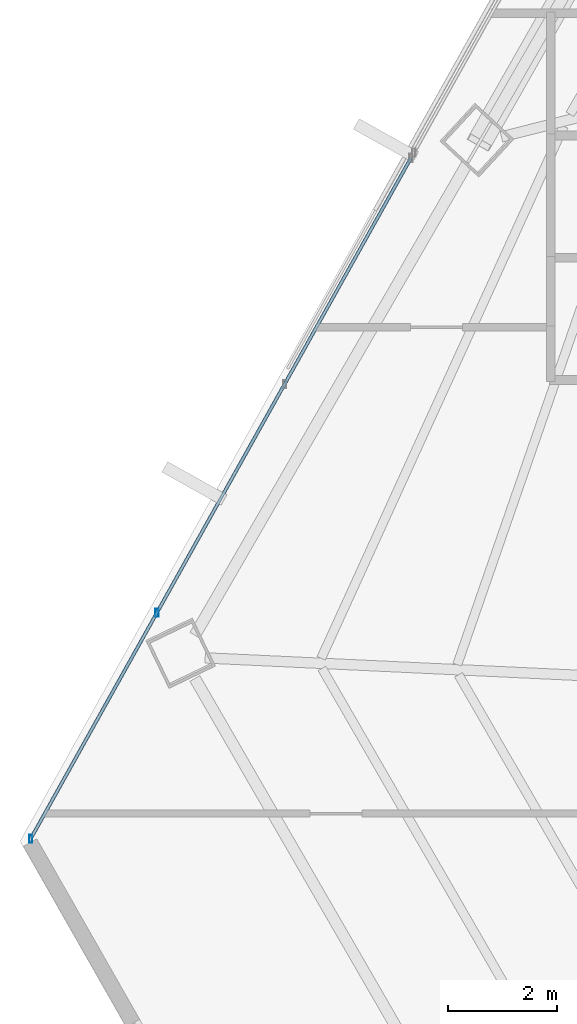
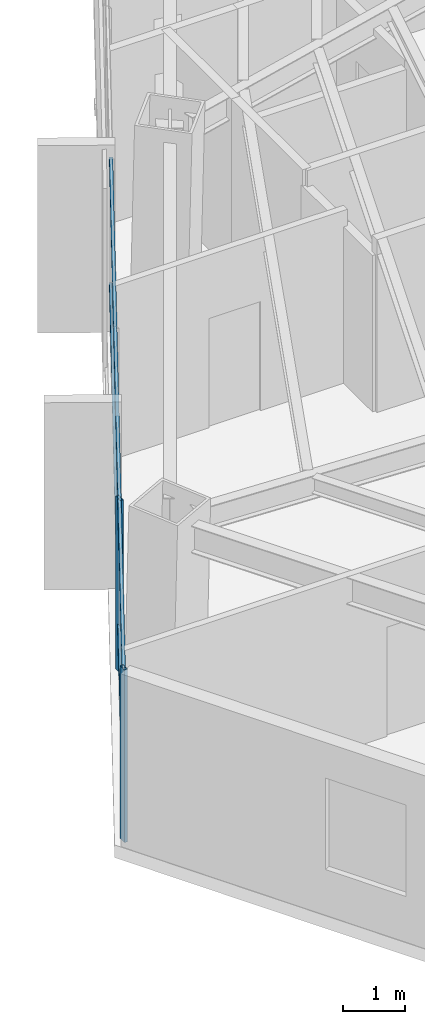
# One storey, part 6 of 38: 4 members, 1 element without a shape of its own.
"""IFC4 building model written with IfcOpenShell, lengths in metres."""

from ifc_helpers import new_model, si_unit, direction, frame, origin, origin_2d, place, context, subcontext, project, spatial, hollow_rectangle, extrude, source, transform, mapped, material, material_profile, profile_set, type_object, type_shapes, element, aggregate, save


model = new_model("IFC4")

# Units and contexts
model_context = context("Model", 3, precision=1e-05, world=origin(), true_north=direction((0.0, 1.0)))
body_context = subcontext(model_context, "Body", "Model", "MODEL_VIEW")
ifc_project = project(units=[si_unit("LENGTHUNIT", "METRE"), si_unit("AREAUNIT", "SQUARE_METRE"), si_unit("VOLUMEUNIT", "CUBIC_METRE"), si_unit("PLANEANGLEUNIT", "RADIAN"), si_unit("MASSUNIT", "GRAM", prefix="KILO")], contexts=[model_context])

# Site, building, storey
site_placement = place(None, origin())
site = spatial("IfcSite", under=ifc_project, at=site_placement, CompositionType="ELEMENT")
building_placement = place(site_placement, origin())
building = spatial("IfcBuilding", under=site, at=building_placement, Name="Caelisora Broadcast Tower", CompositionType="ELEMENT")
storey_placement = place(building_placement, frame((0.0, 0.0, 154.85009765625)))
storey = spatial("IfcBuildingStorey", under=building, at=storey_placement, Name="L40", CompositionType="ELEMENT", Elevation=154.85009765625)

# Curtain wall, members
ifc_material_1 = material(Name="Unitised Aluminium and Low-E Glass Curtain Wall", Category="glass")
curtain_wall_type = type_object("IfcCurtainWallType", Name="CW-Z3", PredefinedType="NOTDEFINED", material=ifc_material_1)
curtain_wall_placement = place(storey_placement, origin())
curtain_wall = element("IfcCurtainWall", 1, at=curtain_wall_placement, inside=storey, type_object=curtain_wall_type, Name="L40 curtain wall CW-Z3", PredefinedType="NOTDEFINED")
ifc_material_2 = material(Name="Aluminium 6063-T6 Anodised Terracotta Bronze", Category="aluminium")
ifc_material_profile_1 = material_profile(ifc_material_2, hollow_rectangle(XDim=0.06005859375, YDim=0.14990234375, WallThickness=0.00341796875, at=origin_2d()), Name="Aluminium 6063-T6 Anodised Terracotta Bronze")
ifc_profile_set_1 = profile_set([ifc_material_profile_1], Name="Aluminium 6063-T6 Anodised Terracotta Bronze")
member_type_1 = type_object("IfcMemberType", Name="CWM-03", PredefinedType="MULLION", material=ifc_profile_set_1)
shared_shape_1 = source(origin(), body_context, "Body", "SweptSolid", [
    extrude(hollow_rectangle(XDim=0.06005859375, YDim=0.14990234375, WallThickness=0.00341796875, at=origin_2d()), origin(), (0.0, 0.0, 1.0), 3.39990234375),
])
type_shapes(member_type_1, [shared_shape_1])
member_1_placement = place(storey_placement, frame((12.62841796875, 14.756591796875, 0.0), z_axis=(0.0, 0.0, 1.0), x_axis=(1.0, 0.0, 0.0)))
member_1 = element("IfcMember", 2, at=member_1_placement, type_object=member_type_1, Name="L40-CW-B09 mullion #0", PredefinedType="MULLION", context=body_context, shape_type="MappedRepresentation", body=[
    mapped(shared_shape_1, transform((0.0, 0.0, 0.0), scale=1.0)),
])
member_2_placement = place(storey_placement, frame((14.952880859375, 18.91845703125, 0.0), z_axis=(0.0, 0.0, 1.0), x_axis=(1.0, 0.0, 0.0)))
member_2 = element("IfcMember", 3, at=member_2_placement, type_object=member_type_1, Name="L40-CW-B09 mullion #1", PredefinedType="MULLION", context=body_context, shape_type="MappedRepresentation", body=[
    mapped(shared_shape_1, transform((0.0, 0.0, 0.0), scale=1.0)),
])
ifc_material_profile_2 = material_profile(ifc_material_2, hollow_rectangle(XDim=0.06005859375, YDim=0.14990234375, WallThickness=0.00341796875, at=origin_2d()), Name="Aluminium 6063-T6 Anodised Terracotta Bronze")
ifc_profile_set_2 = profile_set([ifc_material_profile_2], Name="Aluminium 6063-T6 Anodised Terracotta Bronze")
member_type_2 = type_object("IfcMemberType", Name="CWT-02", PredefinedType="USERDEFINED", material=ifc_profile_set_2)
shared_shape_2 = source(origin(), body_context, "Body", "SweptSolid", [
    extrude(hollow_rectangle(XDim=0.06005859375, YDim=0.14990234375, WallThickness=0.00341796875, at=origin_2d()), origin(), (0.0, 0.0, 1.0), 14.35107421875),
])
type_shapes(member_type_2, [shared_shape_2])
member_3_placement = place(storey_placement, frame((12.62841796875, 14.756591796875, 0.849853515625), z_axis=(0.487649388921, 0.873039560092, 0.0), x_axis=(-0.873039560092, 0.487649388921, 0.0)))
member_3 = element("IfcMember", 4, at=member_3_placement, type_object=member_type_2, Name="L40-CW-B09 transom #1", ObjectType="TRANSOM", PredefinedType="USERDEFINED", context=body_context, shape_type="MappedRepresentation", body=[
    mapped(shared_shape_2, transform((0.0, 0.0, 0.0), scale=1.0)),
])
member_4_placement = place(storey_placement, frame((12.62841796875, 14.756591796875, 3.31982421875), z_axis=(0.487649388921, 0.873039560092, 0.0), x_axis=(-0.873039560092, 0.487649388921, 0.0)))
member_4 = element("IfcMember", 5, at=member_4_placement, type_object=member_type_2, Name="L40-CW-B09 transom #2", ObjectType="TRANSOM", PredefinedType="USERDEFINED", context=body_context, shape_type="MappedRepresentation", body=[
    mapped(shared_shape_2, transform((0.0, 0.0, 0.0), scale=1.0)),
])
aggregate(curtain_wall, [member_1, member_2, member_3, member_4])

save(model, "model.ifc")
